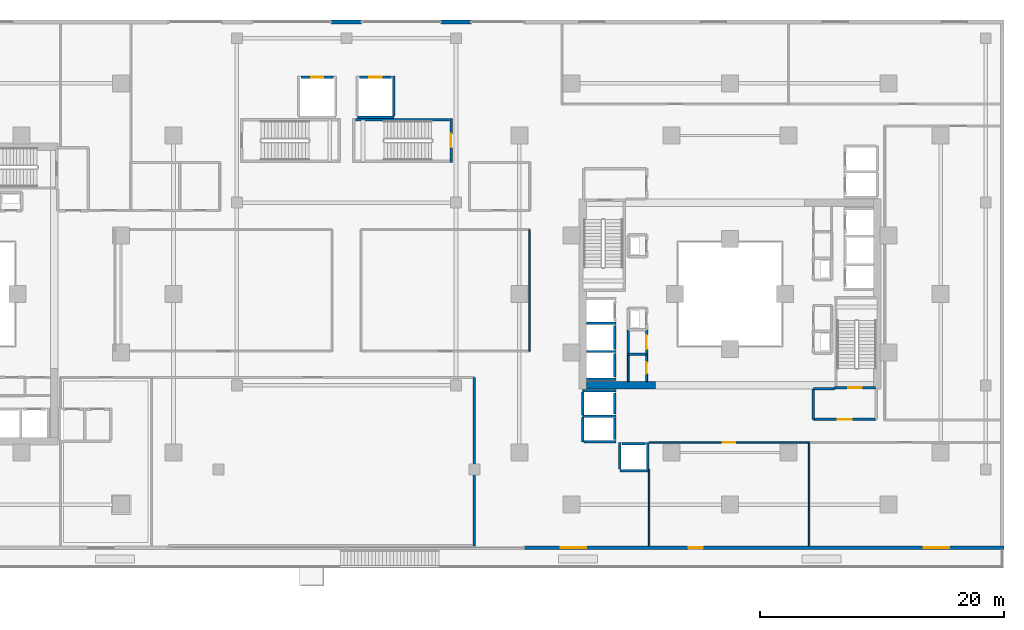
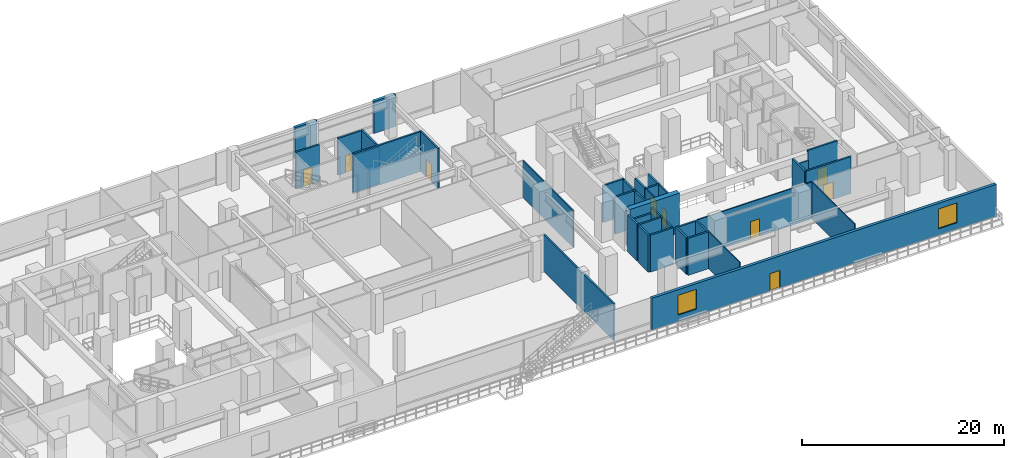
# One storey, part 14 of 22: 40 walls, 9 doors, 2 windows, 11 openings.
"""IFC4 building model written with IfcOpenShell, lengths in metres."""

import ifcopenshell
import ifcopenshell.guid

model = None  # the IFC model being written
_history = None  # IfcOwnerHistory: only IFC2X3 demands one
_inside = {}  # id of a spatial element -> (the spatial element, [elements in it])
_under = {}  # id of a project, library or spatial element -> (it, [spatial elements below it])
_declared = {}  # id of a project -> (the project, [libraries it declares])
_typed = {}  # id of a type object -> (the type object, [elements of that type])
_made_of = {}  # id of a material, layer set ... -> (it, [elements and type objects made of it])


def new_model(schema):
    """Start an empty IFC model of exactly this schema.

    Asked for "IFC4X3", IfcOpenShell would pick the latest addendum, in which some entities
    have other attributes; the version numbers below select the first issue.
    IFC2X3 requires an IfcOwnerHistory on every rooted entity: one is made here for all.
    """
    global model, _history
    if schema == "IFC4X3":
        model = ifcopenshell.file(schema_version=(4, 3, 0, 0))
    else:
        model = ifcopenshell.file(schema=schema)
    _inside.clear()
    _under.clear()
    _declared.clear()
    _typed.clear()
    _made_of.clear()
    _history = None
    if model.schema == "IFC2X3":
        org = make("IfcOrganization", Name="unknown")
        user = make(
            "IfcPersonAndOrganization",
            ThePerson=make("IfcPerson", FamilyName="unknown"),
            TheOrganization=org,
        )
        app = make(
            "IfcApplication",
            ApplicationDeveloper=org,
            Version="unknown",
            ApplicationFullName="unknown",
            ApplicationIdentifier="unknown",
        )
        _history = make(
            "IfcOwnerHistory",
            OwningUser=user,
            OwningApplication=app,
            ChangeAction="ADDED",
            CreationDate=0,
        )
    return model


def make(cls, **values):
    """One entity of the class cls with the attributes given. An attribute that is None is left unset."""
    return model.create_entity(
        cls, **{name: value for name, value in values.items() if value is not None}
    )


def rooted(cls, **values):
    """An entity with a GlobalId (a new one), such as an element, a storey or a relation."""
    return make(cls, GlobalId=ifcopenshell.guid.new(), OwnerHistory=_history, **values)


def si_unit(unit_type, name, prefix=None):
    """IfcSIUnit, for example si_unit("LENGTHUNIT", "METRE", prefix="MILLI")."""
    return make("IfcSIUnit", UnitType=unit_type, Prefix=prefix, Name=name)


def assignment(units):
    """IfcUnitAssignment: the units of a project."""
    return None if units is None else make("IfcUnitAssignment", Units=units)


def point(xyz):
    """IfcCartesianPoint."""
    return None if xyz is None else make("IfcCartesianPoint", Coordinates=xyz)


def direction(xyz):
    """IfcDirection."""
    return None if xyz is None else make("IfcDirection", DirectionRatios=xyz)


def frame(location, z_axis=None, x_axis=None):
    """IfcAxis2Placement3D, a coordinate frame: its origin and axes. An axis left out is left unset."""
    return make(
        "IfcAxis2Placement3D",
        Location=point(location),
        Axis=direction(z_axis),
        RefDirection=direction(x_axis),
    )


def frame_2d(location, x_axis=None):
    """IfcAxis2Placement2D, a coordinate frame in the plane: its origin and x axis."""
    return make(
        "IfcAxis2Placement2D", Location=point(location), RefDirection=direction(x_axis)
    )


def origin():
    """The frame at (0, 0, 0) with its axes left unset."""
    return frame((0.0, 0.0, 0.0))


def place(relative_to, where):
    """IfcLocalPlacement: puts the frame where relative to a parent placement (None: the world)."""
    return make(
        "IfcLocalPlacement", PlacementRelTo=relative_to, RelativePlacement=where
    )


def context(
    kind, dimensions, precision=None, world=None, true_north=None, identifier=None
):
    """IfcGeometricRepresentationContext, for example the 3D "Model" context."""
    return make(
        "IfcGeometricRepresentationContext",
        ContextIdentifier=identifier,
        ContextType=kind,
        CoordinateSpaceDimension=dimensions,
        Precision=precision,
        WorldCoordinateSystem=world,
        TrueNorth=true_north,
    )


def subcontext(parent, identifier, kind, view, scale=None):
    """IfcGeometricRepresentationSubContext, for example "Body" below "Model"."""
    return make(
        "IfcGeometricRepresentationSubContext",
        ContextIdentifier=identifier,
        ContextType=kind,
        ParentContext=parent,
        TargetScale=scale,
        TargetView=view,
    )


def project(units=None, contexts=None):
    """IfcProject with its units and contexts."""
    return rooted(
        "IfcProject",
        Name="project",
        RepresentationContexts=contexts,
        UnitsInContext=assignment(units),
    )


def spatial(cls, under=None, at=None, **own):
    """A site, building, storey or space (cls), placed at a placement, below another one or the project."""
    s = rooted(cls, ObjectPlacement=at, **own)
    if under is not None:
        _under.setdefault(under.id(), (under, []))[1].append(s)
    return s


def profile(cls, at=None, kind="AREA", **sizes):
    """A parametric profile (cls). Its sizes go by their IFC names, for example OverallWidth=200.0."""
    return make(cls, ProfileType=kind, Position=at, **sizes)


def rectangle(**sizes):
    """IfcRectangleProfileDef."""
    return profile("IfcRectangleProfileDef", **sizes)


def extrude(swept, where, along, depth):
    """IfcExtrudedAreaSolid: the profile swept, set in the frame where, extruded along a direction by depth."""
    return make(
        "IfcExtrudedAreaSolid",
        SweptArea=swept,
        Position=where,
        ExtrudedDirection=direction(along),
        Depth=depth,
    )


def shape(context_of_items, identifier, shape_type, items):
    """IfcShapeRepresentation: the items that make up one representation, for example the "Body"."""
    return make(
        "IfcShapeRepresentation",
        ContextOfItems=context_of_items,
        RepresentationIdentifier=identifier,
        RepresentationType=shape_type,
        Items=items,
    )


def material(Name=None, Category=None):
    """IfcMaterial."""
    return make("IfcMaterial", Name=Name, Category=Category)


def layer(
    of_material, thickness, ventilated=None, Name=None, Category=None, Priority=None
):
    """IfcMaterialLayer: one layer of a wall or slab, of a material (None: an air gap)."""
    return make(
        "IfcMaterialLayer",
        Material=of_material,
        LayerThickness=thickness,
        IsVentilated=ventilated,
        Name=Name,
        Category=Category,
        Priority=Priority,
    )


def layer_set(layers, Name=None):
    """IfcMaterialLayerSet."""
    return make("IfcMaterialLayerSet", MaterialLayers=layers, LayerSetName=Name)


def made_of(thing, what):
    """Note that an element or type object is made of a material, layer set ...; save() writes the relation."""
    if what is not None:
        _made_of.setdefault(what.id(), (what, []))[1].append(thing)
    return thing


def type_object(cls, material=None, **own):
    """A type object (cls), such as IfcWallType, which elements share."""
    return made_of(rooted(cls, **own), material)


def element(
    cls,
    number,
    at=None,
    inside=None,
    cuts=None,
    type_object=None,
    material=None,
    context=None,
    identifier="Body",
    shape_type=None,
    held_by="IfcProductDefinitionShape",
    body=None,
    shapes=None,
    **own,
):
    """One element of the class cls, such as IfcWall. Its Tag is "e" and its number.

    at: its placement. inside: the storey or other place that contains it. cuts: it is an
    opening in that element (IfcRelVoidsElement). A single representation is given by context,
    identifier, shape_type and body (its items); several are given by shapes. held_by: the class
    of the entity that holds the representations. save() writes the other relations.
    """
    e = rooted(cls, Tag="e%d" % number, ObjectPlacement=at, **own)
    if body is not None:
        shapes = [shape(context, identifier, shape_type, body)]
    if shapes is not None:
        e.Representation = make(held_by, Representations=shapes)
    if inside is not None:
        _inside.setdefault(inside.id(), (inside, []))[1].append(e)
    if cuts is not None:
        rooted(
            "IfcRelVoidsElement", RelatingBuildingElement=cuts, RelatedOpeningElement=e
        )
    if type_object is not None:
        _typed.setdefault(type_object.id(), (type_object, []))[1].append(e)
    return made_of(e, material)


def fill(opening, filler):
    """IfcRelFillsElement: the door or window that sits in an opening."""
    return rooted(
        "IfcRelFillsElement",
        RelatingOpeningElement=opening,
        RelatedBuildingElement=filler,
    )


def aggregate(whole, parts):
    """IfcRelAggregates: a whole, such as a stair, and the parts it consists of."""
    return rooted("IfcRelAggregates", RelatingObject=whole, RelatedObjects=parts)


def save(model, path):
    """Write the relations noted so far, then the file.

    IfcRelAggregates (storeys below a building ...), IfcRelContainedInSpatialStructure (elements
    in a storey), IfcRelDefinesByType, IfcRelAssociatesMaterial and IfcRelDeclares: one each for
    every whole, place, type object, material and project.
    """
    for whole, parts in _under.values():
        aggregate(whole, parts)
    for where, things in _inside.values():
        rooted(
            "IfcRelContainedInSpatialStructure",
            RelatedElements=things,
            RelatingStructure=where,
        )
    for kind, things in _typed.values():
        rooted("IfcRelDefinesByType", RelatedObjects=things, RelatingType=kind)
    for what, things in _made_of.values():
        rooted("IfcRelAssociatesMaterial", RelatedObjects=things, RelatingMaterial=what)
    for by, libraries in _declared.values():
        rooted("IfcRelDeclares", RelatingContext=by, RelatedDefinitions=libraries)
    model.write(path)


model = new_model("IFC4")

# Units and contexts
model_context = context("Model", 3, precision=1e-05, world=origin(), true_north=direction((0.0, 1.0)))
body_context = subcontext(model_context, "Body", "Model", "MODEL_VIEW")
ifc_project = project(units=[si_unit("LENGTHUNIT", "METRE"), si_unit("AREAUNIT", "SQUARE_METRE"), si_unit("VOLUMEUNIT", "CUBIC_METRE"), si_unit("PLANEANGLEUNIT", "RADIAN"), si_unit("MASSUNIT", "GRAM", prefix="KILO")], contexts=[model_context])

# Site, building, storey
site_placement = place(None, origin())
site = spatial("IfcSite", under=ifc_project, at=site_placement, CompositionType="ELEMENT")
building_placement = place(site_placement, origin())
building = spatial("IfcBuilding", under=site, at=building_placement, Name="Thornwick Lancets Civic Towers", CompositionType="ELEMENT")
storey_placement = place(building_placement, frame((0.0, 0.0, 4.800048828125)))
storey = spatial("IfcBuildingStorey", under=building, at=storey_placement, Name="L01", CompositionType="ELEMENT", Elevation=4.800048828125)

# Walls
ifc_material_1 = material(Name="Concrete blockwork C40/50", Category="masonry")
ifc_layer_1 = layer(ifc_material_1, 0.199951171875, Name="Concrete blockwork C40/50")
ifc_layer_set_1 = layer_set([ifc_layer_1], Name="Concrete blockwork C40/50")
wall_type_1 = type_object("IfcWallType", Name="WALL_COMP_200", PredefinedType="STANDARD", material=ifc_layer_set_1)
wall_1_placement = place(storey_placement, frame((79.050048828125, 22.429931640625, 0.0), z_axis=(0.0, 0.0, 1.0), x_axis=(0.0, 1.0, 0.0)))
element("IfcWall", 1, at=wall_1_placement, inside=storey, type_object=wall_type_1, Name="L01 Hoistway Front Wall PL-BH2", PredefinedType="STANDARD", context=body_context, shape_type="SweptSolid", body=[
    extrude(rectangle(XDim=1.989990234375, YDim=0.199951171875, at=frame_2d((0.9951171875, 0.0))), origin(), (0.0, 0.0, 1.0), 4.4599609375),
])
wall_2_placement = place(storey_placement, frame((79.050048828125, 20.179931640625, 0.0), z_axis=(0.0, 0.0, 1.0), x_axis=(0.0, 1.0, 0.0)))
element("IfcWall", 2, at=wall_2_placement, inside=storey, type_object=wall_type_1, Name="L01 Hoistway Front Wall PL-BH3", PredefinedType="STANDARD", context=body_context, shape_type="SweptSolid", body=[
    extrude(rectangle(XDim=1.940185546875, YDim=0.199951171875, at=frame_2d((0.97021484375, 0.0))), origin(), (0.0, 0.0, 1.0), 4.4599609375),
])
wall_3_placement = place(storey_placement, frame((79.050048828125, 17.1298828125, 0.0), z_axis=(0.0, 0.0, 1.0), x_axis=(0.0, 1.0, 0.0)))
element("IfcWall", 3, at=wall_3_placement, inside=storey, type_object=wall_type_1, Name="L01 Hoistway Front Wall PL-BM1", PredefinedType="STANDARD", context=body_context, shape_type="SweptSolid", body=[
    extrude(rectangle(XDim=1.740234375, YDim=0.199951171875, at=frame_2d((0.8701171875, 0.0))), origin(), (0.0, 0.0, 1.0), 4.4599609375),
])
wall_4_placement = place(storey_placement, frame((79.050048828125, 15.030029296875, 0.0), z_axis=(0.0, 0.0, 1.0), x_axis=(0.0, 1.0, 0.0)))
element("IfcWall", 4, at=wall_4_placement, inside=storey, type_object=wall_type_1, Name="L01 Hoistway Front Wall PL-BM2", PredefinedType="STANDARD", context=body_context, shape_type="SweptSolid", body=[
    extrude(rectangle(XDim=1.7900390625, YDim=0.199951171875, at=frame_2d((0.89501953125, 0.0))), origin(), (0.0, 0.0, 1.0), 4.4599609375),
])
wall_5_placement = place(storey_placement, frame((79.6298828125, 14.699951171875, 0.0), z_axis=(0.0, 0.0, 1.0), x_axis=(1.0, 0.0, 0.0)))
element("IfcWall", 5, at=wall_5_placement, inside=storey, type_object=wall_type_1, Name="L01 Hoistway Front Wall PL-BM3", PredefinedType="STANDARD", context=body_context, shape_type="SweptSolid", body=[
    extrude(rectangle(XDim=1.940185546875, YDim=0.199951171875, at=frame_2d((0.97021484375, 0.0))), origin(), (0.0, 0.0, 1.0), 4.4599609375),
])

# Wall, opening, door
wall_6_placement = place(storey_placement, frame((53.280029296875, 44.800048828125, 0.0), z_axis=(0.0, 0.0, 1.0), x_axis=(1.0, 0.0, 0.0)))
wall_6 = element("IfcWall", 6, at=wall_6_placement, inside=storey, type_object=wall_type_1, Name="L01 Hoistway Front Wall GL-P1", PredefinedType="STANDARD", context=body_context, shape_type="SweptSolid", body=[
    extrude(rectangle(XDim=2.639892578125, YDim=0.199951171875, at=frame_2d((1.31982421875, 0.0))), origin(), (0.0, 0.0, 1.0), 4.4599609375),
])
opening_1_placement = place(wall_6_placement, frame((0.81005859375, 0.0, 0.0)))
opening_1 = element("IfcOpeningElement", 7, at=opening_1_placement, cuts=wall_6, Name="Opening LD-GL-P1", PredefinedType="OPENING", context=body_context, shape_type="SweptSolid", body=[
    extrude(rectangle(XDim=1.02001953125, YDim=2.06005859375, at=frame_2d((0.510009765625, 1.030029296875))), frame((0.0, 0.10986328125, 0.0), z_axis=(0.0, -1.0, 0.0), x_axis=(1.0, 0.0, 0.0)), (0.0, 0.0, 1.0), 0.219970703125),
])
ifc_material_2 = material(Name="Brushed bronze stainless steel", Category="steel")
door_type_1 = type_object("IfcDoorType", Name="DOOR_LIFT_SLIDE", OperationType="SLIDING_TO_LEFT", PredefinedType="DOOR", material=ifc_material_2)
door_1_placement = place(opening_1_placement, origin())
door_1 = element("IfcDoor", 8, at=door_1_placement, inside=storey, type_object=door_type_1, Name="L01 Sliding Lift Landing Door LD-GL-P1", OperationType="SLIDING_TO_LEFT", OverallHeight=2.06005859375, OverallWidth=1.02001953125, PredefinedType="DOOR", context=body_context, shape_type="SweptSolid", body=[
    extrude(rectangle(XDim=1.02001953125, YDim=2.06005859375, at=frame_2d((0.510009765625, 1.030029296875))), frame((0.0, 0.02490234375, 0.0), z_axis=(0.0, -1.0, 0.0), x_axis=(1.0, 0.0, 0.0)), (0.0, 0.0, 1.0), 0.050048828125),
])
fill(opening_1, door_1)

wall_7_placement = place(storey_placement, frame((58.080078125, 44.800048828125, 0.0), z_axis=(0.0, 0.0, 1.0), x_axis=(1.0, 0.0, 0.0)))
wall_7 = element("IfcWall", 9, at=wall_7_placement, inside=storey, type_object=wall_type_1, Name="L01 Hoistway Front Wall GL-P2", PredefinedType="STANDARD", context=body_context, shape_type="SweptSolid", body=[
    extrude(rectangle(XDim=2.639892578125, YDim=0.199951171875, at=frame_2d((1.31982421875, 0.0))), origin(), (0.0, 0.0, 1.0), 4.4599609375),
])
opening_2_placement = place(wall_7_placement, frame((0.81005859375, 0.0, 0.0)))
opening_2 = element("IfcOpeningElement", 10, at=opening_2_placement, cuts=wall_7, Name="Opening LD-GL-P2", PredefinedType="OPENING", context=body_context, shape_type="SweptSolid", body=[
    extrude(rectangle(XDim=1.02001953125, YDim=2.06005859375, at=frame_2d((0.510009765625, 1.030029296875))), frame((0.0, 0.10986328125, 0.0), z_axis=(0.0, -1.0, 0.0), x_axis=(1.0, 0.0, 0.0)), (0.0, 0.0, 1.0), 0.219970703125),
])
door_2_placement = place(opening_2_placement, origin())
door_2 = element("IfcDoor", 11, at=door_2_placement, inside=storey, type_object=door_type_1, Name="L01 Sliding Lift Landing Door LD-GL-P2", OperationType="SLIDING_TO_LEFT", OverallHeight=2.06005859375, OverallWidth=1.02001953125, PredefinedType="DOOR", context=body_context, shape_type="SweptSolid", body=[
    extrude(rectangle(XDim=1.02001953125, YDim=2.06005859375, at=frame_2d((0.510009765625, 1.030029296875))), frame((0.0, 0.02490234375, 0.0), z_axis=(0.0, -1.0, 0.0), x_axis=(1.0, 0.0, 0.0)), (0.0, 0.0, 1.0), 0.050048828125),
])
fill(opening_2, door_2)

# Walls
for number, where, z_axis, x_axis, name in (
    (12, (76.7119140625, 24.60009765625, 0.0), (0.0, 0.0, 1.0), (1.0, 0.0, 0.0), "L01 Hoistway Shaft Wall FL-B2 S"),
    (13, (76.7119140625, 22.27490234375, 0.0), (0.0, 0.0, 1.0), (1.0, 0.0, 0.0), "L01 Hoistway Shaft Wall PL-BH2 S"),
    (14, (76.7119140625, 20.0, 0.0), (0.0, 0.0, 1.0), (1.0, 0.0, 0.0), "L01 Hoistway Shaft Wall PL-BH3 S"),
):
    element("IfcWall", number, at=place(storey_placement, frame(where, z_axis=z_axis, x_axis=x_axis)), inside=storey, type_object=wall_type_1, Name=name, PredefinedType="STANDARD", context=body_context, shape_type="SweptSolid", body=[
        extrude(rectangle(XDim=2.43603515625, YDim=0.199951171875, at=frame_2d((1.218017578125, 0.0))), origin(), (0.0, 0.0, 1.0), 4.4599609375),
    ])
wall_8_placement = place(storey_placement, frame((76.402099609375, 19.050048828125, 0.0), z_axis=(0.0, 0.0, 1.0), x_axis=(1.0, 0.0, 0.0)))
element("IfcWall", 15, at=wall_8_placement, inside=storey, type_object=wall_type_1, Name="L01 Hoistway Shaft Wall PL-BM1 N", PredefinedType="STANDARD", context=body_context, shape_type="SweptSolid", body=[
    extrude(rectangle(XDim=2.745849609375, YDim=0.199951171875, at=frame_2d((1.373046875, 0.0))), origin(), (0.0, 0.0, 1.0), 3.6650390625),
])
wall_9_placement = place(storey_placement, frame((76.402099609375, 16.97509765625, 0.0), z_axis=(0.0, 0.0, 1.0), x_axis=(1.0, 0.0, 0.0)))
element("IfcWall", 16, at=wall_9_placement, inside=storey, type_object=wall_type_1, Name="L01 Hoistway Shaft Wall PL-BM1 S", PredefinedType="STANDARD", context=body_context, shape_type="SweptSolid", body=[
    extrude(rectangle(XDim=2.745849609375, YDim=0.199951171875, at=frame_2d((1.373046875, 0.0))), origin(), (0.0, 0.0, 1.0), 4.4599609375),
])
wall_10_placement = place(storey_placement, frame((76.39990234375, 14.85205078125, 0.0), z_axis=(0.0, 0.0, 1.0), x_axis=(0.0, 1.0, 0.0)))
element("IfcWall", 17, at=wall_10_placement, inside=storey, type_object=wall_type_1, Name="L01 Hoistway Shaft Wall PL-BM1 W", PredefinedType="STANDARD", context=body_context, shape_type="SweptSolid", body=[
    extrude(rectangle(XDim=2.015869140625, YDim=0.199951171875, at=frame_2d((1.0078125, 0.0))), origin(), (0.0, 0.0, 1.0), 4.4599609375),
])
wall_11_placement = place(storey_placement, frame((76.39990234375, 17.08203125, 0.0), z_axis=(0.0, 0.0, 1.0), x_axis=(0.0, 1.0, 0.0)))
element("IfcWall", 18, at=wall_11_placement, inside=storey, type_object=wall_type_1, Name="L01 Hoistway Shaft Wall PL-BM1 W", PredefinedType="STANDARD", context=body_context, shape_type="SweptSolid", body=[
    extrude(rectangle(XDim=1.85595703125, YDim=0.199951171875, at=frame_2d((0.927978515625, 0.0))), origin(), (0.0, 0.0, 1.0), 4.4599609375),
])
wall_12_placement = place(storey_placement, frame((76.511962890625, 14.85009765625, 0.0), z_axis=(0.0, 0.0, 1.0), x_axis=(1.0, 0.0, 0.0)))
element("IfcWall", 19, at=wall_12_placement, inside=storey, type_object=wall_type_1, Name="L01 Hoistway Shaft Wall PL-BM2 S", PredefinedType="STANDARD", context=body_context, shape_type="SweptSolid", body=[
    extrude(rectangle(XDim=2.635986328125, YDim=0.199951171875, at=frame_2d((1.31787109375, 0.0))), origin(), (0.0, 0.0, 1.0), 4.4599609375),
])
wall_13_placement = place(storey_placement, frame((79.451904296875, 12.5, 0.0), z_axis=(0.0, 0.0, 1.0), x_axis=(1.0, 0.0, 0.0)))
element("IfcWall", 20, at=wall_13_placement, inside=storey, type_object=wall_type_1, Name="L01 Hoistway Shaft Wall PL-BM3 S", PredefinedType="STANDARD", context=body_context, shape_type="SweptSolid", body=[
    extrude(rectangle(XDim=2.296142578125, YDim=0.199951171875, at=frame_2d((1.14794921875, 0.0))), origin(), (0.0, 0.0, 1.0), 4.4599609375),
])
for number, where, z_axis, x_axis, name in (
    (21, (81.75, 12.612060546875, 0.0), (0.0, 0.0, 1.0), (0.0, 1.0, 0.0), "L01 Hoistway Shaft Wall PL-BM3 E"),
    (22, (79.449951171875, 12.612060546875, 0.0), (0.0, 0.0, 1.0), (0.0, 1.0, 0.0), "L01 Hoistway Shaft Wall PL-BM3 W"),
):
    element("IfcWall", number, at=place(storey_placement, frame(where, z_axis=z_axis, x_axis=x_axis)), inside=storey, type_object=wall_type_1, Name=name, PredefinedType="STANDARD", context=body_context, shape_type="SweptSolid", body=[
        extrude(rectangle(XDim=2.18603515625, YDim=0.199951171875, at=frame_2d((1.093017578125, 0.0))), origin(), (0.0, 0.0, 1.0), 4.4599609375),
    ])
wall_14_placement = place(storey_placement, frame((57.902099609375, 41.5, 0.0), z_axis=(0.0, 0.0, 1.0), x_axis=(1.0, 0.0, 0.0)))
element("IfcWall", 23, at=wall_14_placement, inside=storey, type_object=wall_type_1, Name="L01 Hoistway Shaft Wall GL-P2 S", PredefinedType="STANDARD", context=body_context, shape_type="SweptSolid", body=[
    extrude(rectangle(XDim=2.995849609375, YDim=0.199951171875, at=frame_2d((1.498046875, 0.0))), origin(), (0.0, 0.0, 1.0), 4.4599609375),
])
wall_15_placement = place(storey_placement, frame((60.89990234375, 41.612060546875, 0.0), z_axis=(0.0, 0.0, 1.0), x_axis=(0.0, 1.0, 0.0)))
element("IfcWall", 24, at=wall_15_placement, inside=storey, type_object=wall_type_1, Name="L01 Hoistway Shaft Wall GL-P2 E", PredefinedType="STANDARD", context=body_context, shape_type="SweptSolid", body=[
    extrude(rectangle(XDim=3.285888671875, YDim=0.199951171875, at=frame_2d((1.64306640625, 0.0))), origin(), (0.0, 0.0, 1.0), 4.4599609375),
])

# Wall, opening, door
wall_16_placement = place(storey_placement, frame((95.35009765625, 16.699951171875, 0.0), z_axis=(0.0, 0.0, 1.0), x_axis=(1.0, 0.0, 0.0)))
wall_16 = element("IfcWall", 25, at=wall_16_placement, inside=storey, type_object=wall_type_1, Name="L01 Partition L01-B-FFLOB1 E1", PredefinedType="STANDARD", context=body_context, shape_type="SweptSolid", body=[
    extrude(rectangle(XDim=5.14990234375, YDim=0.199951171875, at=frame_2d((2.574951171875, 0.0))), origin(), (0.0, 0.0, 1.0), 4.4599609375),
])
opening_3_placement = place(wall_16_placement, frame((2.0, 0.0, 0.0)))
opening_3 = element("IfcOpeningElement", 26, at=opening_3_placement, cuts=wall_16, Name="Opening D-L01-0105", PredefinedType="OPENING", context=body_context, shape_type="SweptSolid", body=[
    extrude(rectangle(XDim=1.14990234375, YDim=2.10009765625, at=frame_2d((0.574951171875, 1.050048828125))), frame((0.0, 0.10986328125, 0.0), z_axis=(0.0, -1.0, 0.0), x_axis=(1.0, 0.0, 0.0)), (0.0, 0.0, 1.0), 0.219970703125),
])
ifc_material_3 = material(Name="Glazed fire-resisting steel", Category="steel")
door_type_2 = type_object("IfcDoorType", Name="DOOR_LOBBY_FD60", OperationType="NOTDEFINED", PredefinedType="DOOR", material=ifc_material_3)
door_3_placement = place(opening_3_placement, origin())
door_3 = element("IfcDoor", 27, at=door_3_placement, inside=storey, type_object=door_type_2, Name="L01 East Firefighting Lobby 1 Door", OperationType="SINGLE_SWING_RIGHT", OverallHeight=2.10009765625, OverallWidth=1.14990234375, PredefinedType="DOOR", context=body_context, shape_type="SweptSolid", body=[
    extrude(rectangle(XDim=1.14990234375, YDim=2.10009765625, at=frame_2d((0.574951171875, 1.050048828125))), frame((0.0, 0.02490234375, 0.0), z_axis=(0.0, -1.0, 0.0), x_axis=(1.0, 0.0, 0.0)), (0.0, 0.0, 1.0), 0.050048828125),
])
fill(opening_3, door_3)

# Walls
wall_17_placement = place(storey_placement, frame((97.10009765625, 19.199951171875, 0.0), z_axis=(0.0, 0.0, 1.0), x_axis=(-1.0, 0.0, 0.0)))
element("IfcWall", 28, at=wall_17_placement, inside=storey, type_object=wall_type_1, Name="L01 Partition L01-B-FFLOB1 E3", PredefinedType="STANDARD", context=body_context, shape_type="SweptSolid", body=[
    extrude(rectangle(XDim=1.75, YDim=0.199951171875, at=frame_2d((0.875, 0.0))), origin(), (0.0, 0.0, 1.0), 3.6650390625),
])
wall_18_placement = place(storey_placement, frame((95.35009765625, 19.199951171875, 0.0), z_axis=(0.0, 0.0, 1.0), x_axis=(0.0, -1.0, 0.0)))
element("IfcWall", 29, at=wall_18_placement, inside=storey, type_object=wall_type_1, Name="L01 Partition L01-B-FFLOB1 E4", PredefinedType="STANDARD", context=body_context, shape_type="SweptSolid", body=[
    extrude(rectangle(XDim=2.5, YDim=0.199951171875, at=frame_2d((1.25, 0.0))), origin(), (0.0, 0.0, 1.0), 4.4599609375),
])
wall_19_placement = place(storey_placement, frame((80.14990234375, 22.050048828125, 0.0), z_axis=(0.0, 0.0, 1.0), x_axis=(0.0, 1.0, 0.0)))
element("IfcWall", 30, at=wall_19_placement, inside=storey, type_object=wall_type_1, Name="L01 Partition L01-B-STR E1", PredefinedType="STANDARD", context=body_context, shape_type="SweptSolid", body=[
    extrude(rectangle(XDim=2.0, YDim=0.199951171875, at=frame_2d((1.0, 0.0))), origin(), (0.0, 0.0, 1.0), 4.4599609375),
])

# Wall, opening, door
wall_20_placement = place(storey_placement, frame((81.64990234375, 24.050048828125, 0.0), z_axis=(0.0, 0.0, 1.0), x_axis=(0.0, -1.0, 0.0)))
wall_20 = element("IfcWall", 31, at=wall_20_placement, inside=storey, type_object=wall_type_1, Name="L01 Partition L01-B-STR E3", PredefinedType="STANDARD", context=body_context, shape_type="SweptSolid", body=[
    extrude(rectangle(XDim=2.0, YDim=0.199951171875, at=frame_2d((1.0, 0.0))), origin(), (0.0, 0.0, 1.0), 4.4599609375),
])
opening_4_placement = place(wall_20_placement, frame((0.425048828125, 0.0, 0.0)))
opening_4 = element("IfcOpeningElement", 32, at=opening_4_placement, cuts=wall_20, Name="Opening D-L01-0115", PredefinedType="OPENING", context=body_context, shape_type="SweptSolid", body=[
    extrude(rectangle(XDim=1.14990234375, YDim=2.10009765625, at=frame_2d((0.574951171875, 1.050048828125))), frame((0.0, 0.10986328125, 0.0), z_axis=(0.0, -1.0, 0.0), x_axis=(1.0, 0.0, 0.0)), (0.0, 0.0, 1.0), 0.219970703125),
])
door_4_placement = place(opening_4_placement, origin())
door_4 = element("IfcDoor", 33, at=door_4_placement, inside=storey, type_object=door_type_2, Name="L01 Tower B Core Records Store Door", OperationType="SINGLE_SWING_RIGHT", OverallHeight=2.10009765625, OverallWidth=1.14990234375, PredefinedType="DOOR", context=body_context, shape_type="SweptSolid", body=[
    extrude(rectangle(XDim=1.14990234375, YDim=2.10009765625, at=frame_2d((0.574951171875, 1.050048828125))), frame((0.0, 0.02490234375, 0.0), z_axis=(0.0, -1.0, 0.0), x_axis=(1.0, 0.0, 0.0)), (0.0, 0.0, 1.0), 0.050048828125),
])
fill(opening_4, door_4)

# Walls
wall_21_placement = place(storey_placement, frame((81.64990234375, 22.050048828125, 0.0), z_axis=(0.0, 0.0, 1.0), x_axis=(-1.0, 0.0, 0.0)))
element("IfcWall", 34, at=wall_21_placement, inside=storey, type_object=wall_type_1, Name="L01 Partition L01-B-STR E4", PredefinedType="STANDARD", context=body_context, shape_type="SweptSolid", body=[
    extrude(rectangle(XDim=1.5, YDim=0.199951171875, at=frame_2d((0.75, 0.0))), origin(), (0.0, 0.0, 1.0), 4.4599609375),
])
ifc_material_4 = material(Name="Concrete C60/75", Category="concrete")
ifc_layer_2 = layer(ifc_material_4, 0.60009765625, Name="Concrete C60/75")
ifc_layer_set_2 = layer_set([ifc_layer_2], Name="Concrete C60/75")
wall_type_2 = type_object("IfcWallType", Name="WALL_CORE_600", PredefinedType="SHEAR", material=ifc_layer_set_2)
wall_22_placement = place(storey_placement, frame((76.699951171875, 19.5, 0.0), z_axis=(0.0, 0.0, 1.0), x_axis=(1.0, 0.0, 0.0)))
element("IfcWall", 35, at=wall_22_placement, inside=storey, type_object=wall_type_2, Name="L01 Split Core B2 Shear Wall S", PredefinedType="SHEAR", context=body_context, shape_type="SweptSolid", body=[
    extrude(rectangle(XDim=5.699951171875, YDim=0.60009765625, at=frame_2d((2.85009765625, 0.0))), origin(), (0.0, 0.0, 1.0), 4.800048828125),
])

# Wall, openings, door, windows
ifc_material_5 = material(Name="Insulated buff terracotta rainscreen on concrete C40/50", Category="masonry")
ifc_layer_3 = layer(ifc_material_5, 0.320068359375, Name="Insulated buff terracotta rainscreen on concrete C40/50")
ifc_layer_set_3 = layer_set([ifc_layer_3], Name="Insulated buff terracotta rainscreen on concrete C40/50")
wall_type_3 = type_object("IfcWallType", Name="WALL_EXT_TERRA_320", PredefinedType="STANDARD", material=ifc_layer_set_3)
wall_23_placement = place(storey_placement, frame((71.60009765625, 6.159912109375, 0.0), z_axis=(0.0, 0.0, 1.0), x_axis=(1.0, 0.0, 0.0)))
wall_23 = element("IfcWall", 36, at=wall_23_placement, inside=storey, type_object=wall_type_3, Name="L01 Podium South-East Facade Wall", PredefinedType="STANDARD", context=body_context, shape_type="SweptSolid", body=[
    extrude(rectangle(XDim=39.39990234375, YDim=0.320068359375, at=frame_2d((19.699951171875, 0.0))), origin(), (0.0, 0.0, 1.0), 3.85986328125),
])
opening_5_placement = place(wall_23_placement, frame((13.5, 0.0, 0.0)))
opening_5 = element("IfcOpeningElement", 37, at=opening_5_placement, cuts=wall_23, Name="Opening D-TR-L01-2", PredefinedType="OPENING", context=body_context, shape_type="SweptSolid", body=[
    extrude(rectangle(XDim=1.14990234375, YDim=2.10009765625, at=frame_2d((0.574951171875, 1.050048828125))), frame((0.0, 0.169921875, 0.0), z_axis=(0.0, -1.0, 0.0), x_axis=(1.0, 0.0, 0.0)), (0.0, 0.0, 1.0), 0.340087890625),
])
opening_6_placement = place(wall_23_placement, frame((3.0, 0.0, 0.780029296875)))
opening_6 = element("IfcOpeningElement", 38, at=opening_6_placement, cuts=wall_23, Name="Opening WP-21", PredefinedType="OPENING", context=body_context, shape_type="SweptSolid", body=[
    extrude(rectangle(XDim=2.10009765625, YDim=2.39990234375, at=frame_2d((1.050048828125, 1.199951171875))), frame((0.0, 0.169921875, 0.0), z_axis=(0.0, -1.0, 0.0), x_axis=(1.0, 0.0, 0.0)), (0.0, 0.0, 1.0), 0.340087890625),
])
opening_7_placement = place(wall_23_placement, frame((32.800048828125, 0.0, 0.780029296875)))
opening_7 = element("IfcOpeningElement", 39, at=opening_7_placement, cuts=wall_23, Name="Opening WP-21", PredefinedType="OPENING", context=body_context, shape_type="SweptSolid", body=[
    extrude(rectangle(XDim=2.10009765625, YDim=2.39990234375, at=frame_2d((1.050048828125, 1.199951171875))), frame((0.0, 0.169921875, 0.0), z_axis=(0.0, -1.0, 0.0), x_axis=(1.0, 0.0, 0.0)), (0.0, 0.0, 1.0), 0.340087890625),
])
ifc_material_6 = material(Name="Thermally broken glazed terrace doorset")
door_type_3 = type_object("IfcDoorType", Name="DOOR_TERRACE_1200", OperationType="NOTDEFINED", PredefinedType="DOOR", material=ifc_material_6)
door_5_placement = place(opening_5_placement, origin())
door_5 = element("IfcDoor", 40, at=door_5_placement, inside=storey, type_object=door_type_3, Name="L01 Cascading Garden Terrace Door 2", OperationType="SINGLE_SWING_RIGHT", OverallHeight=2.10009765625, OverallWidth=1.14990234375, PredefinedType="DOOR", context=body_context, shape_type="SweptSolid", body=[
    extrude(rectangle(XDim=1.14990234375, YDim=2.10009765625, at=frame_2d((0.574951171875, 1.050048828125))), frame((0.0, 0.02490234375, 0.0), z_axis=(0.0, -1.0, 0.0), x_axis=(1.0, 0.0, 0.0)), (0.0, 0.0, 1.0), 0.050048828125),
])
fill(opening_5, door_5)
ifc_material_7 = material(Name="Grand civic pointed lancet glass window", Category="glass")
window_type = type_object("IfcWindowType", Name="WIN_PODIUM_2100", PartitioningType="SINGLE_PANEL", PredefinedType="WINDOW", material=ifc_material_7)
window_1_placement = place(opening_6_placement, origin())
window_1 = element("IfcWindow", 41, at=window_1_placement, inside=storey, type_object=window_type, Name="L01 Podium Lancet Window 1", OverallHeight=2.39990234375, OverallWidth=2.10009765625, PartitioningType="SINGLE_PANEL", PredefinedType="WINDOW", context=body_context, shape_type="SweptSolid", body=[
    extrude(rectangle(XDim=2.10009765625, YDim=2.39990234375, at=frame_2d((1.050048828125, 1.199951171875))), frame((0.0, 0.030029296875, 0.0), z_axis=(0.0, -1.0, 0.0), x_axis=(1.0, 0.0, 0.0)), (0.0, 0.0, 1.0), 0.06005859375),
])
fill(opening_6, window_1)
window_2_placement = place(opening_7_placement, origin())
window_2 = element("IfcWindow", 42, at=window_2_placement, inside=storey, type_object=window_type, Name="L01 Podium Lancet Window 4", OverallHeight=2.39990234375, OverallWidth=2.10009765625, PartitioningType="SINGLE_PANEL", PredefinedType="WINDOW", context=body_context, shape_type="SweptSolid", body=[
    extrude(rectangle(XDim=2.10009765625, YDim=2.39990234375, at=frame_2d((1.050048828125, 1.199951171875))), frame((0.0, 0.030029296875, 0.0), z_axis=(0.0, -1.0, 0.0), x_axis=(1.0, 0.0, 0.0)), (0.0, 0.0, 1.0), 0.06005859375),
])
fill(opening_7, window_2)

# Walls
for number, where, z_axis, x_axis, name in (
    (43, (67.25, 49.340087890625, 0.0), (0.0, 0.0, 1.0), (-1.0, 0.0, 0.0), "L01 Podium North Facade Pier 1"),
    (44, (58.25, 49.340087890625, 0.0), (0.0, 0.0, 1.0), (-1.0, 0.0, 0.0), "L01 Podium North Facade Pier 2"),
):
    element("IfcWall", number, at=place(storey_placement, frame(where, z_axis=z_axis, x_axis=x_axis)), inside=storey, type_object=wall_type_3, Name=name, PredefinedType="STANDARD", context=body_context, shape_type="SweptSolid", body=[
        extrude(rectangle(XDim=2.5, YDim=0.320068359375, at=frame_2d((1.25, 0.0))), origin(), (0.0, 0.0, 1.0), 3.85986328125),
    ])
ifc_material_8 = material(Name="Acoustic gypsum board partition")
ifc_layer_4 = layer(ifc_material_8, 0.1201171875, Name="Acoustic gypsum board partition")
ifc_layer_set_4 = layer_set([ifc_layer_4], Name="Acoustic gypsum board partition")
wall_type_4 = type_object("IfcWallType", Name="WALL_PART_120", PredefinedType="PARTITIONING", material=ifc_layer_set_4)
wall_24_placement = place(storey_placement, frame((81.85009765625, 6.320068359375, 0.0), z_axis=(0.0, 0.0, 1.0), x_axis=(0.0, 1.0, 0.0)))
element("IfcWall", 45, at=wall_24_placement, inside=storey, type_object=wall_type_4, Name="L01 Partition L01-PRESS E2", PredefinedType="PARTITIONING", context=body_context, shape_type="SweptSolid", body=[
    extrude(rectangle(XDim=6.2919921875, YDim=0.1201171875, at=frame_2d((3.14599609375, 0.0))), origin(), (0.0, 0.0, 1.0), 4.4599609375),
])

# Wall, opening, door
wall_25_placement = place(storey_placement, frame((81.85009765625, 14.800048828125, 0.0), z_axis=(0.0, 0.0, 1.0), x_axis=(1.0, 0.0, 0.0)))
wall_25 = element("IfcWall", 46, at=wall_25_placement, inside=storey, type_object=wall_type_4, Name="L01 Partition L01-PRESS E3", PredefinedType="PARTITIONING", context=body_context, shape_type="SweptSolid", body=[
    extrude(rectangle(XDim=13.14990234375, YDim=0.1201171875, at=frame_2d((6.574951171875, 0.0))), origin(), (0.0, 0.0, 1.0), 4.4599609375),
])
opening_8_placement = place(wall_25_placement, frame((6.050048828125, 0.0, 0.0)))
opening_8 = element("IfcOpeningElement", 47, at=opening_8_placement, cuts=wall_25, Name="Opening D-L01-0122", PredefinedType="OPENING", context=body_context, shape_type="SweptSolid", body=[
    extrude(rectangle(XDim=1.050048828125, YDim=2.10009765625, at=frame_2d((0.52490234375, 1.050048828125))), frame((0.0, 0.070068359375, 0.0), z_axis=(0.0, -1.0, 0.0), x_axis=(1.0, 0.0, 0.0)), (0.0, 0.0, 1.0), 0.14013671875),
])
ifc_material_9 = material(Name="Glazed European oak executive doorset")
door_type_4 = type_object("IfcDoorType", Name="DOOR_OFFICE_1050", OperationType="NOTDEFINED", PredefinedType="DOOR", material=ifc_material_9)
door_6_placement = place(opening_8_placement, origin())
door_6 = element("IfcDoor", 48, at=door_6_placement, inside=storey, type_object=door_type_4, Name="Parliamentary Press Briefing Suite Door", OperationType="SINGLE_SWING_LEFT", OverallHeight=2.10009765625, OverallWidth=1.050048828125, PredefinedType="DOOR", context=body_context, shape_type="SweptSolid", body=[
    extrude(rectangle(XDim=1.050048828125, YDim=2.10009765625, at=frame_2d((0.52490234375, 1.050048828125))), frame((0.0, 0.02490234375, 0.0), z_axis=(0.0, -1.0, 0.0), x_axis=(1.0, 0.0, 0.0)), (0.0, 0.0, 1.0), 0.050048828125),
])
fill(opening_8, door_6)

# Walls
wall_26_placement = place(storey_placement, frame((95.0, 14.800048828125, 0.0), z_axis=(0.0, 0.0, 1.0), x_axis=(0.0, -1.0, 0.0)))
element("IfcWall", 49, at=wall_26_placement, inside=storey, type_object=wall_type_4, Name="L01 Partition L01-PRESS E4", PredefinedType="PARTITIONING", context=body_context, shape_type="SweptSolid", body=[
    extrude(rectangle(XDim=8.47998046875, YDim=0.1201171875, at=frame_2d((4.239990234375, 0.0))), origin(), (0.0, 0.0, 1.0), 4.4599609375),
])
wall_27_placement = place(storey_placement, frame((72.050048828125, 32.280029296875, 0.0), z_axis=(0.0, 0.0, 1.0), x_axis=(0.0, -1.0, 0.0)))
element("IfcWall", 50, at=wall_27_placement, inside=storey, type_object=wall_type_4, Name="L01 Partition L01-LEGAL E4", PredefinedType="PARTITIONING", context=body_context, shape_type="SweptSolid", body=[
    extrude(rectangle(XDim=9.97998046875, YDim=0.1201171875, at=frame_2d((4.989990234375, 0.0))), origin(), (0.0, 0.0, 1.0), 4.4599609375),
])

# Wall, opening, door
ifc_material_10 = material(Name="Twin-stud acoustic gypsum board")
ifc_layer_5 = layer(ifc_material_10, 0.14990234375, Name="Twin-stud acoustic gypsum board")
ifc_layer_set_5 = layer_set([ifc_layer_5], Name="Twin-stud acoustic gypsum board")
wall_type_5 = type_object("IfcWallType", Name="WALL_PART_150", PredefinedType="PARTITIONING", material=ifc_layer_set_5)
wall_28_placement = place(storey_placement, frame((81.64990234375, 19.800048828125, 0.0), z_axis=(0.0, 0.0, 1.0), x_axis=(0.0, 1.0, 0.0)))
wall_28 = element("IfcWall", 51, at=wall_28_placement, inside=storey, type_object=wall_type_5, Name="L01 Partition L01-B-AWC E2", PredefinedType="PARTITIONING", context=body_context, shape_type="SweptSolid", body=[
    extrude(rectangle(XDim=2.25, YDim=0.14990234375, at=frame_2d((1.125, 0.0))), origin(), (0.0, 0.0, 1.0), 4.4599609375),
])
opening_9_placement = place(wall_28_placement, frame((0.6650390625, 0.0, 0.0)))
opening_9 = element("IfcOpeningElement", 52, at=opening_9_placement, cuts=wall_28, Name="Opening D-L01-0114", PredefinedType="OPENING", context=body_context, shape_type="SweptSolid", body=[
    extrude(rectangle(XDim=0.919921875, YDim=2.080078125, at=frame_2d((0.4599609375, 1.0400390625))), frame((0.0, 0.0849609375, 0.0), z_axis=(0.0, -1.0, 0.0), x_axis=(1.0, 0.0, 0.0)), (0.0, 0.0, 1.0), 0.169921875),
])
ifc_material_11 = material(Name="Moisture-resistant oak doorset")
door_type_5 = type_object("IfcDoorType", Name="DOOR_WC_900", OperationType="NOTDEFINED", PredefinedType="DOOR", material=ifc_material_11)
door_7_placement = place(opening_9_placement, origin())
door_7 = element("IfcDoor", 53, at=door_7_placement, inside=storey, type_object=door_type_5, Name="L01 Tower B Accessible WC Door", OperationType="SINGLE_SWING_LEFT", OverallHeight=2.080078125, OverallWidth=0.919921875, PredefinedType="DOOR", context=body_context, shape_type="SweptSolid", body=[
    extrude(rectangle(XDim=0.919921875, YDim=2.080078125, at=frame_2d((0.4599609375, 1.0400390625))), frame((0.0, 0.02490234375, 0.0), z_axis=(0.0, -1.0, 0.0), x_axis=(1.0, 0.0, 0.0)), (0.0, 0.0, 1.0), 0.050048828125),
])
fill(opening_9, door_7)

# Walls
wall_29_placement = place(storey_placement, frame((80.14990234375, 22.050048828125, 0.0), z_axis=(0.0, 0.0, 1.0), x_axis=(0.0, -1.0, 0.0)))
element("IfcWall", 54, at=wall_29_placement, inside=storey, type_object=wall_type_5, Name="L01 Partition L01-B-AWC E4", PredefinedType="PARTITIONING", context=body_context, shape_type="SweptSolid", body=[
    extrude(rectangle(XDim=2.25, YDim=0.14990234375, at=frame_2d((1.125, 0.0))), origin(), (0.0, 0.0, 1.0), 4.4599609375),
])
ifc_material_12 = material(Name="High-isolation twin-stud acoustic gypsum")
ifc_layer_6 = layer(ifc_material_12, 0.179931640625, Name="High-isolation twin-stud acoustic gypsum")
ifc_layer_set_6 = layer_set([ifc_layer_6], Name="High-isolation twin-stud acoustic gypsum")
wall_type_6 = type_object("IfcWallType", Name="WALL_PART_180", PredefinedType="PARTITIONING", material=ifc_layer_set_6)
wall_30_placement = place(storey_placement, frame((67.5, 20.14990234375, 0.0), z_axis=(0.0, 0.0, 1.0), x_axis=(0.0, -1.0, 0.0)))
element("IfcWall", 55, at=wall_30_placement, inside=storey, type_object=wall_type_6, Name="L01 Partition L01-CHAMB E4", PredefinedType="PARTITIONING", context=body_context, shape_type="SweptSolid", body=[
    extrude(rectangle(XDim=13.829833984375, YDim=0.179931640625, at=frame_2d((6.9150390625, 0.0))), origin(), (0.0, 0.0, 1.0), 4.4599609375),
])

# Wall, opening, door
ifc_material_13 = material(Name="Concrete C40/50", Category="concrete")
ifc_layer_7 = layer(ifc_material_13, 0.199951171875, Name="Concrete C40/50")
ifc_layer_set_7 = layer_set([ifc_layer_7], Name="Concrete C40/50")
wall_type_7 = type_object("IfcWallType", Name="WALL_SHAFT_200", PredefinedType="SHEAR", material=ifc_layer_set_7)
wall_31_placement = place(storey_placement, frame((100.449951171875, 19.300048828125, 0.0), z_axis=(0.0, 0.0, 1.0), x_axis=(-1.0, 0.0, 0.0)))
wall_31 = element("IfcWall", 56, at=wall_31_placement, inside=storey, type_object=wall_type_7, Name="L01 ST-B1 Fire Stair Core Wall NEAR", PredefinedType="SHEAR", context=body_context, shape_type="SweptSolid", body=[
    extrude(rectangle(XDim=3.349853515625, YDim=0.199951171875, at=frame_2d((1.6748046875, 0.0))), origin(), (0.0, 0.0, 1.0), 4.800048828125),
])
opening_10_placement = place(wall_31_placement, frame((1.125, 0.0, 0.0)))
opening_10 = element("IfcOpeningElement", 57, at=opening_10_placement, cuts=wall_31, Name="Opening D-ST-B1-L01", PredefinedType="OPENING", context=body_context, shape_type="SweptSolid", body=[
    extrude(rectangle(XDim=1.10009765625, YDim=2.10009765625, at=frame_2d((0.550048828125, 1.050048828125))), frame((0.0, 0.10986328125, 0.0), z_axis=(0.0, -1.0, 0.0), x_axis=(1.0, 0.0, 0.0)), (0.0, 0.0, 1.0), 0.219970703125),
])
ifc_material_14 = material(Name="Fire-resisting steel and hardwood", Category="steel")
door_type_6 = type_object("IfcDoorType", Name="DOOR_STAIR_FD60", OperationType="NOTDEFINED", PredefinedType="DOOR", material=ifc_material_14)
door_8_placement = place(opening_10_placement, origin())
door_8 = element("IfcDoor", 58, at=door_8_placement, inside=storey, type_object=door_type_6, Name="L01 ST-B1 Exit Stair Door", OperationType="SINGLE_SWING_LEFT", OverallHeight=2.10009765625, OverallWidth=1.10009765625, PredefinedType="DOOR", context=body_context, shape_type="SweptSolid", body=[
    extrude(rectangle(XDim=1.10009765625, YDim=2.10009765625, at=frame_2d((0.550048828125, 1.050048828125))), frame((0.0, 0.02490234375, 0.0), z_axis=(0.0, -1.0, 0.0), x_axis=(1.0, 0.0, 0.0)), (0.0, 0.0, 1.0), 0.050048828125),
])
fill(opening_10, door_8)

wall_32_placement = place(storey_placement, frame((65.60009765625, 41.39990234375, 0.0), z_axis=(0.0, 0.0, 1.0), x_axis=(0.0, -1.0, 0.0)))
wall_32 = element("IfcWall", 59, at=wall_32_placement, inside=storey, type_object=wall_type_7, Name="L01 ST-P6 Fire Stair Core Wall NEAR", PredefinedType="SHEAR", context=body_context, shape_type="SweptSolid", body=[
    extrude(rectangle(XDim=3.599853515625, YDim=0.199951171875, at=frame_2d((1.7998046875, 0.0))), origin(), (0.0, 0.0, 1.0), 4.800048828125),
])
opening_11_placement = place(wall_32_placement, frame((1.25, 0.0, 0.0)))
opening_11 = element("IfcOpeningElement", 60, at=opening_11_placement, cuts=wall_32, Name="Opening D-ST-P6-L01", PredefinedType="OPENING", context=body_context, shape_type="SweptSolid", body=[
    extrude(rectangle(XDim=1.10009765625, YDim=2.10009765625, at=frame_2d((0.550048828125, 1.050048828125))), frame((0.0, 0.10986328125, 0.0), z_axis=(0.0, -1.0, 0.0), x_axis=(1.0, 0.0, 0.0)), (0.0, 0.0, 1.0), 0.219970703125),
])
door_9_placement = place(opening_11_placement, origin())
door_9 = element("IfcDoor", 61, at=door_9_placement, inside=storey, type_object=door_type_6, Name="L01 ST-P6 Exit Stair Door", OperationType="SINGLE_SWING_RIGHT", OverallHeight=2.10009765625, OverallWidth=1.10009765625, PredefinedType="DOOR", context=body_context, shape_type="SweptSolid", body=[
    extrude(rectangle(XDim=1.10009765625, YDim=2.10009765625, at=frame_2d((0.550048828125, 1.050048828125))), frame((0.0, 0.02490234375, 0.0), z_axis=(0.0, -1.0, 0.0), x_axis=(1.0, 0.0, 0.0)), (0.0, 0.0, 1.0), 0.050048828125),
])
fill(opening_11, door_9)

# Wall
wall_33_placement = place(storey_placement, frame((65.449951171875, 41.297119140625, 0.0), z_axis=(0.0, 0.0, 1.0), x_axis=(-1.0, 0.0, 0.0)))
element("IfcWall", 62, at=wall_33_placement, inside=storey, type_object=wall_type_7, Name="L01 ST-P6 Fire Stair Core Wall LEFT", PredefinedType="SHEAR", context=body_context, shape_type="SweptSolid", body=[
    extrude(rectangle(XDim=7.699951171875, YDim=0.199951171875, at=frame_2d((3.85009765625, 0.0))), origin(), (0.0, 0.0, 1.0), 4.800048828125),
])

save(model, "model.ifc")
